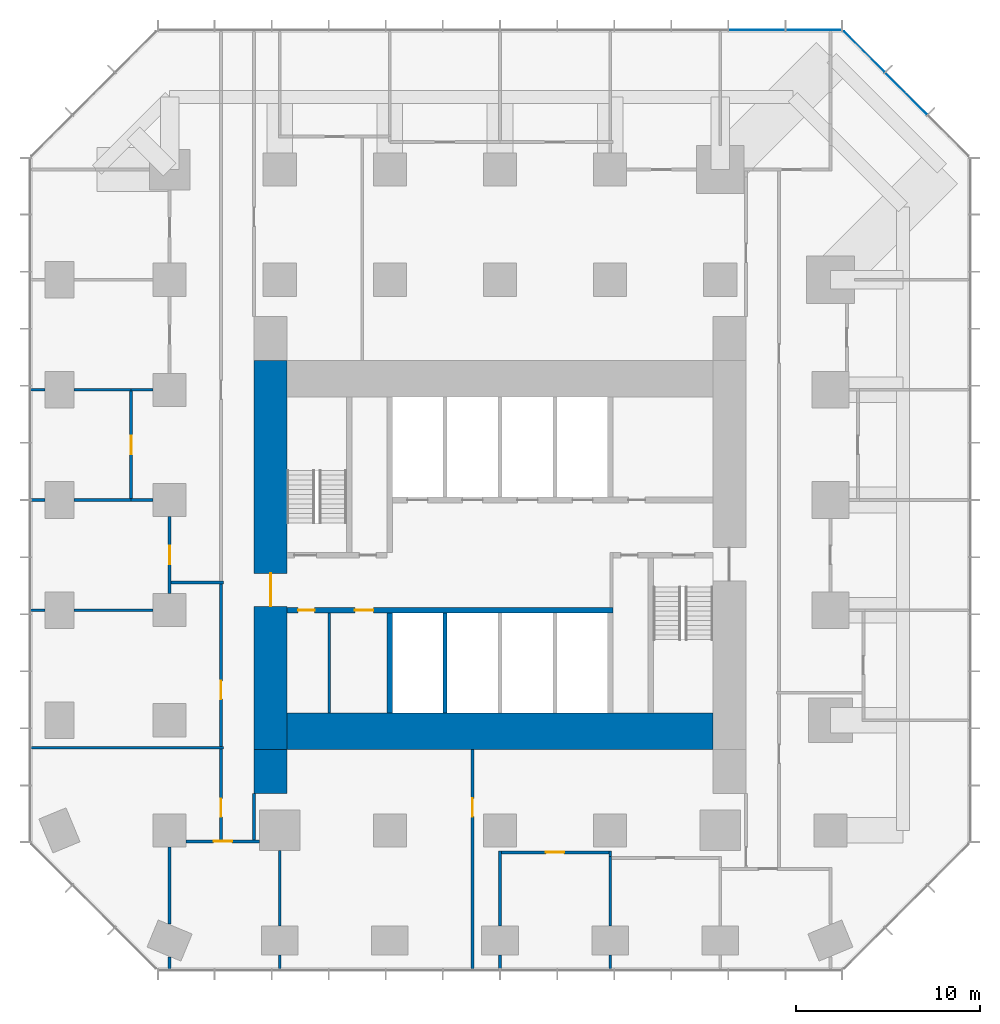
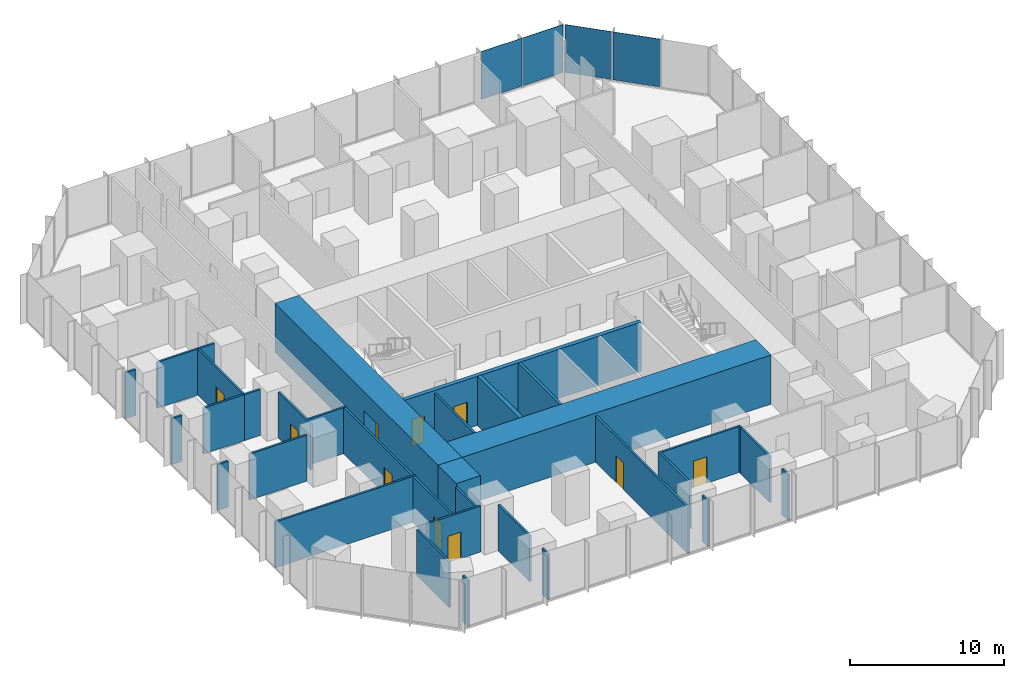
# One storey, part 8 of 12: 34 walls, 10 doors, 4 plates, 10 openings, 2 elements without a shape of their own.
"""IFC4 building model written with IfcOpenShell, lengths in metres."""

import ifcopenshell
import ifcopenshell.guid

model = None  # the IFC model being written
_history = None  # IfcOwnerHistory: only IFC2X3 demands one
_inside = {}  # id of a spatial element -> (the spatial element, [elements in it])
_under = {}  # id of a project, library or spatial element -> (it, [spatial elements below it])
_declared = {}  # id of a project -> (the project, [libraries it declares])
_typed = {}  # id of a type object -> (the type object, [elements of that type])
_made_of = {}  # id of a material, layer set ... -> (it, [elements and type objects made of it])


def new_model(schema):
    """Start an empty IFC model of exactly this schema.

    Asked for "IFC4X3", IfcOpenShell would pick the latest addendum, in which some entities
    have other attributes; the version numbers below select the first issue.
    IFC2X3 requires an IfcOwnerHistory on every rooted entity: one is made here for all.
    """
    global model, _history
    if schema == "IFC4X3":
        model = ifcopenshell.file(schema_version=(4, 3, 0, 0))
    else:
        model = ifcopenshell.file(schema=schema)
    _inside.clear()
    _under.clear()
    _declared.clear()
    _typed.clear()
    _made_of.clear()
    _history = None
    if model.schema == "IFC2X3":
        org = make("IfcOrganization", Name="unknown")
        user = make(
            "IfcPersonAndOrganization",
            ThePerson=make("IfcPerson", FamilyName="unknown"),
            TheOrganization=org,
        )
        app = make(
            "IfcApplication",
            ApplicationDeveloper=org,
            Version="unknown",
            ApplicationFullName="unknown",
            ApplicationIdentifier="unknown",
        )
        _history = make(
            "IfcOwnerHistory",
            OwningUser=user,
            OwningApplication=app,
            ChangeAction="ADDED",
            CreationDate=0,
        )
    return model


def make(cls, **values):
    """One entity of the class cls with the attributes given. An attribute that is None is left unset."""
    return model.create_entity(
        cls, **{name: value for name, value in values.items() if value is not None}
    )


def rooted(cls, **values):
    """An entity with a GlobalId (a new one), such as an element, a storey or a relation."""
    return make(cls, GlobalId=ifcopenshell.guid.new(), OwnerHistory=_history, **values)


def si_unit(unit_type, name, prefix=None):
    """IfcSIUnit, for example si_unit("LENGTHUNIT", "METRE", prefix="MILLI")."""
    return make("IfcSIUnit", UnitType=unit_type, Prefix=prefix, Name=name)


def assignment(units):
    """IfcUnitAssignment: the units of a project."""
    return None if units is None else make("IfcUnitAssignment", Units=units)


def point(xyz):
    """IfcCartesianPoint."""
    return None if xyz is None else make("IfcCartesianPoint", Coordinates=xyz)


def direction(xyz):
    """IfcDirection."""
    return None if xyz is None else make("IfcDirection", DirectionRatios=xyz)


def frame(location, z_axis=None, x_axis=None):
    """IfcAxis2Placement3D, a coordinate frame: its origin and axes. An axis left out is left unset."""
    return make(
        "IfcAxis2Placement3D",
        Location=point(location),
        Axis=direction(z_axis),
        RefDirection=direction(x_axis),
    )


def frame_2d(location, x_axis=None):
    """IfcAxis2Placement2D, a coordinate frame in the plane: its origin and x axis."""
    return make(
        "IfcAxis2Placement2D", Location=point(location), RefDirection=direction(x_axis)
    )


def origin():
    """The frame at (0, 0, 0) with its axes left unset."""
    return frame((0.0, 0.0, 0.0))


def origin_2d():
    """The frame at (0, 0) in the plane with its x axis left unset."""
    return frame_2d((0.0, 0.0))


def place(relative_to, where):
    """IfcLocalPlacement: puts the frame where relative to a parent placement (None: the world)."""
    return make(
        "IfcLocalPlacement", PlacementRelTo=relative_to, RelativePlacement=where
    )


def context(
    kind, dimensions, precision=None, world=None, true_north=None, identifier=None
):
    """IfcGeometricRepresentationContext, for example the 3D "Model" context."""
    return make(
        "IfcGeometricRepresentationContext",
        ContextIdentifier=identifier,
        ContextType=kind,
        CoordinateSpaceDimension=dimensions,
        Precision=precision,
        WorldCoordinateSystem=world,
        TrueNorth=true_north,
    )


def subcontext(parent, identifier, kind, view, scale=None):
    """IfcGeometricRepresentationSubContext, for example "Body" below "Model"."""
    return make(
        "IfcGeometricRepresentationSubContext",
        ContextIdentifier=identifier,
        ContextType=kind,
        ParentContext=parent,
        TargetScale=scale,
        TargetView=view,
    )


def project(units=None, contexts=None):
    """IfcProject with its units and contexts."""
    return rooted(
        "IfcProject",
        Name="project",
        RepresentationContexts=contexts,
        UnitsInContext=assignment(units),
    )


def spatial(cls, under=None, at=None, **own):
    """A site, building, storey or space (cls), placed at a placement, below another one or the project."""
    s = rooted(cls, ObjectPlacement=at, **own)
    if under is not None:
        _under.setdefault(under.id(), (under, []))[1].append(s)
    return s


def profile(cls, at=None, kind="AREA", **sizes):
    """A parametric profile (cls). Its sizes go by their IFC names, for example OverallWidth=200.0."""
    return make(cls, ProfileType=kind, Position=at, **sizes)


def rectangle(**sizes):
    """IfcRectangleProfileDef."""
    return profile("IfcRectangleProfileDef", **sizes)


def extrude(swept, where, along, depth):
    """IfcExtrudedAreaSolid: the profile swept, set in the frame where, extruded along a direction by depth."""
    return make(
        "IfcExtrudedAreaSolid",
        SweptArea=swept,
        Position=where,
        ExtrudedDirection=direction(along),
        Depth=depth,
    )


def shape(context_of_items, identifier, shape_type, items):
    """IfcShapeRepresentation: the items that make up one representation, for example the "Body"."""
    return make(
        "IfcShapeRepresentation",
        ContextOfItems=context_of_items,
        RepresentationIdentifier=identifier,
        RepresentationType=shape_type,
        Items=items,
    )


def material(Name=None, Category=None):
    """IfcMaterial."""
    return make("IfcMaterial", Name=Name, Category=Category)


def layer(
    of_material, thickness, ventilated=None, Name=None, Category=None, Priority=None
):
    """IfcMaterialLayer: one layer of a wall or slab, of a material (None: an air gap)."""
    return make(
        "IfcMaterialLayer",
        Material=of_material,
        LayerThickness=thickness,
        IsVentilated=ventilated,
        Name=Name,
        Category=Category,
        Priority=Priority,
    )


def layer_set(layers, Name=None):
    """IfcMaterialLayerSet."""
    return make("IfcMaterialLayerSet", MaterialLayers=layers, LayerSetName=Name)


def made_of(thing, what):
    """Note that an element or type object is made of a material, layer set ...; save() writes the relation."""
    if what is not None:
        _made_of.setdefault(what.id(), (what, []))[1].append(thing)
    return thing


def type_object(cls, material=None, **own):
    """A type object (cls), such as IfcWallType, which elements share."""
    return made_of(rooted(cls, **own), material)


def element(
    cls,
    number,
    at=None,
    inside=None,
    cuts=None,
    type_object=None,
    material=None,
    context=None,
    identifier="Body",
    shape_type=None,
    held_by="IfcProductDefinitionShape",
    body=None,
    shapes=None,
    **own,
):
    """One element of the class cls, such as IfcWall. Its Tag is "e" and its number.

    at: its placement. inside: the storey or other place that contains it. cuts: it is an
    opening in that element (IfcRelVoidsElement). A single representation is given by context,
    identifier, shape_type and body (its items); several are given by shapes. held_by: the class
    of the entity that holds the representations. save() writes the other relations.
    """
    e = rooted(cls, Tag="e%d" % number, ObjectPlacement=at, **own)
    if body is not None:
        shapes = [shape(context, identifier, shape_type, body)]
    if shapes is not None:
        e.Representation = make(held_by, Representations=shapes)
    if inside is not None:
        _inside.setdefault(inside.id(), (inside, []))[1].append(e)
    if cuts is not None:
        rooted(
            "IfcRelVoidsElement", RelatingBuildingElement=cuts, RelatedOpeningElement=e
        )
    if type_object is not None:
        _typed.setdefault(type_object.id(), (type_object, []))[1].append(e)
    return made_of(e, material)


def fill(opening, filler):
    """IfcRelFillsElement: the door or window that sits in an opening."""
    return rooted(
        "IfcRelFillsElement",
        RelatingOpeningElement=opening,
        RelatedBuildingElement=filler,
    )


def aggregate(whole, parts):
    """IfcRelAggregates: a whole, such as a stair, and the parts it consists of."""
    return rooted("IfcRelAggregates", RelatingObject=whole, RelatedObjects=parts)


def save(model, path):
    """Write the relations noted so far, then the file.

    IfcRelAggregates (storeys below a building ...), IfcRelContainedInSpatialStructure (elements
    in a storey), IfcRelDefinesByType, IfcRelAssociatesMaterial and IfcRelDeclares: one each for
    every whole, place, type object, material and project.
    """
    for whole, parts in _under.values():
        aggregate(whole, parts)
    for where, things in _inside.values():
        rooted(
            "IfcRelContainedInSpatialStructure",
            RelatedElements=things,
            RelatingStructure=where,
        )
    for kind, things in _typed.values():
        rooted("IfcRelDefinesByType", RelatedObjects=things, RelatingType=kind)
    for what, things in _made_of.values():
        rooted("IfcRelAssociatesMaterial", RelatedObjects=things, RelatingMaterial=what)
    for by, libraries in _declared.values():
        rooted("IfcRelDeclares", RelatingContext=by, RelatedDefinitions=libraries)
    model.write(path)


model = new_model("IFC4")

# Units and contexts
model_context = context("Model", 3, precision=1e-05, world=origin(), true_north=direction((0.0, 1.0)))
body_context = subcontext(model_context, "Body", "Model", "MODEL_VIEW")
ifc_project = project(units=[si_unit("LENGTHUNIT", "METRE"), si_unit("AREAUNIT", "SQUARE_METRE"), si_unit("VOLUMEUNIT", "CUBIC_METRE"), si_unit("PLANEANGLEUNIT", "RADIAN"), si_unit("MASSUNIT", "GRAM", prefix="KILO")], contexts=[model_context])

# Site, building, storey
site_placement = place(None, origin())
site = spatial("IfcSite", under=ifc_project, at=site_placement, CompositionType="ELEMENT")
building_placement = place(site_placement, origin())
building = spatial("IfcBuilding", under=site, at=building_placement, Name="Highveld Stack Headquarters", CompositionType="ELEMENT")
storey_placement = place(building_placement, frame((0.0, 0.0, 76.699951171875)))
storey = spatial("IfcBuildingStorey", under=building, at=storey_placement, Name="L18", CompositionType="ELEMENT", Elevation=76.699951171875)

# Curtain wall, plates
ifc_material_1 = material(Name="Aluminium bronze anodised", Category="aluminium")
ifc_layer_1 = layer(ifc_material_1, 0.199951171875)
ifc_layer_set_1 = layer_set([ifc_layer_1], Name="Aluminium bronze anodised")
curtain_wall_type_1 = type_object("IfcCurtainWallType", Name="CW1 TOWER UNITISED CURTAIN WALL", PredefinedType="NOTDEFINED", material=ifc_layer_set_1)
curtain_wall_1_placement = place(storey_placement, origin())
curtain_wall_1 = element("IfcCurtainWall", 1, at=curtain_wall_1_placement, inside=storey, type_object=curtain_wall_type_1, Name="Curtain wall CW1 L18 N", PredefinedType="NOTDEFINED")
ifc_material_2 = material(Name="Glass bronze tinted double glazed unit", Category="glass")
ifc_layer_2 = layer(ifc_material_2, 0.028076171875)
ifc_layer_set_2 = layer_set([ifc_layer_2], Name="Glass bronze tinted double glazed unit")
plate_type_1 = type_object("IfcPlateType", Name="CW1 PANEL BRONZE TINTED DOUBLE GLAZED UNIT", PredefinedType="CURTAIN_PANEL", material=ifc_layer_set_2)
plate_1_placement = place(storey_placement, frame((23.09130859375, 31.60009765625, 0.10009765625), z_axis=(0.0, 0.0, 1.0), x_axis=(-1.0, 0.0, 0.0)))
plate_1 = element("IfcPlate", 2, at=plate_1_placement, type_object=plate_type_1, Name="CW1 panel L18 1.1", PredefinedType="CURTAIN_PANEL", context=body_context, shape_type="SweptSolid", body=[
    extrude(rectangle(XDim=3.012939453125, YDim=0.028076171875, at=origin_2d()), origin(), (0.0, 0.0, 1.0), 3.800048828125),
])
plate_2_placement = place(storey_placement, frame((19.9970703125, 31.60009765625, 0.10009765625), z_axis=(0.0, 0.0, 1.0), x_axis=(-1.0, 0.0, 0.0)))
plate_2 = element("IfcPlate", 3, at=plate_2_placement, type_object=plate_type_1, Name="CW1 panel L18 2.1", PredefinedType="CURTAIN_PANEL", context=body_context, shape_type="SweptSolid", body=[
    extrude(rectangle(XDim=3.04541015625, YDim=0.028076171875, at=origin_2d()), origin(), (0.0, 0.0, 1.0), 3.800048828125),
])
aggregate(curtain_wall_1, [plate_1, plate_2])

ifc_material_3 = material(Name="Aluminium bronze anodised", Category="aluminium")
ifc_layer_3 = layer(ifc_material_3, 0.199951171875)
ifc_layer_set_3 = layer_set([ifc_layer_3], Name="Aluminium bronze anodised")
curtain_wall_type_2 = type_object("IfcCurtainWallType", Name="CW2 TOWER CHAMFER UNITISED CURTAIN WALL", PredefinedType="NOTDEFINED", material=ifc_layer_set_3)
curtain_wall_2_placement = place(storey_placement, origin())
curtain_wall_2 = element("IfcCurtainWall", 4, at=curtain_wall_2_placement, inside=storey, type_object=curtain_wall_type_2, Name="Curtain wall CW2 L18 NE", PredefinedType="NOTDEFINED")
ifc_material_4 = material(Name="Glass bronze tinted double glazed unit", Category="glass")
ifc_layer_4 = layer(ifc_material_4, 0.028076171875)
ifc_layer_set_4 = layer_set([ifc_layer_4], Name="Glass bronze tinted double glazed unit")
plate_type_2 = type_object("IfcPlateType", Name="CW2 PANEL BRONZE TINTED DOUBLE GLAZED UNIT", PredefinedType="CURTAIN_PANEL", material=ifc_layer_set_4)
plate_3_placement = place(storey_placement, frame((28.13134765625, 28.13134765625, 0.10009765625), z_axis=(0.0, 0.0, 1.0), x_axis=(-0.707106781187, 0.707106781187, 0.0)))
plate_3 = element("IfcPlate", 5, at=plate_3_placement, type_object=plate_type_2, Name="CW2 panel L18 2.1", PredefinedType="CURTAIN_PANEL", context=body_context, shape_type="SweptSolid", body=[
    extrude(rectangle(XDim=3.205322265625, YDim=0.028076171875, at=origin_2d()), origin(), (0.0, 0.0, 1.0), 3.800048828125),
])
plate_4_placement = place(storey_placement, frame((25.8427734375, 30.419921875, 0.10009765625), z_axis=(0.0, 0.0, 1.0), x_axis=(-0.707106781187, 0.707106781187, 0.0)))
plate_4 = element("IfcPlate", 6, at=plate_4_placement, type_object=plate_type_2, Name="CW2 panel L18 3.1", PredefinedType="CURTAIN_PANEL", context=body_context, shape_type="SweptSolid", body=[
    extrude(rectangle(XDim=3.1376953125, YDim=0.028076171875, at=origin_2d()), origin(), (0.0, 0.0, 1.0), 3.800048828125),
])
aggregate(curtain_wall_2, [plate_3, plate_4])

# Wall, opening, door
ifc_material_5 = material(Name="Concrete C60/75", Category="concrete")
ifc_layer_5 = layer(ifc_material_5, 1.800048828125)
ifc_layer_set_5 = layer_set([ifc_layer_5], Name="Concrete C60/75")
wall_type_1 = type_object("IfcWallType", Name="CORE WALL 1800 C60/75", PredefinedType="SHEAR", material=ifc_layer_set_5)
wall_1_placement = place(storey_placement, frame((-6.5, -7.60009765625, 0.0), z_axis=(0.0, 0.0, 1.0), x_axis=(0.0, 1.0, 0.0)))
wall_1 = element("IfcWall", 7, at=wall_1_placement, inside=storey, type_object=wall_type_1, Name="Core wall W L18", PredefinedType="SHEAR", context=body_context, shape_type="SweptSolid", body=[
    extrude(rectangle(XDim=21.2001953125, YDim=1.800048828125, at=frame_2d((10.60009765625, 0.0))), origin(), (0.0, 0.0, 1.0), 3.900146484375),
])
opening_1_placement = place(wall_1_placement, frame((7.800048828125, 0.0, 0.0)))
opening_1 = element("IfcOpeningElement", 8, at=opening_1_placement, cuts=wall_1, Name="Opening L18-01", PredefinedType="OPENING", context=body_context, shape_type="SweptSolid", body=[
    extrude(rectangle(XDim=1.800048828125, YDim=2.39990234375, at=frame_2d((0.89990234375, 1.199951171875))), frame((0.0, 0.909912109375, 0.0), z_axis=(0.0, -1.0, 0.0), x_axis=(1.0, 0.0, 0.0)), (0.0, 0.0, 1.0), 1.820068359375),
])
ifc_material_6 = material(Name="Steel fire door", Category="steel")
door_type_1 = type_object("IfcDoorType", Name="LOBBY FIRE DOOR D4 1800x2400", OperationType="DOUBLE_DOOR_SINGLE_SWING", PredefinedType="DOOR", material=ifc_material_6)
door_1_placement = place(opening_1_placement, origin())
door_1 = element("IfcDoor", 9, at=door_1_placement, inside=storey, type_object=door_type_1, Name="Core west door L18", OperationType="DOUBLE_DOOR_SINGLE_SWING", OverallHeight=2.39990234375, OverallWidth=1.800048828125, PredefinedType="DOOR", context=body_context, shape_type="SweptSolid", body=[
    extrude(rectangle(XDim=1.800048828125, YDim=2.39990234375, at=frame_2d((0.89990234375, 1.199951171875))), frame((0.0, 0.02490234375, 0.0), z_axis=(0.0, -1.0, 0.0), x_axis=(1.0, 0.0, 0.0)), (0.0, 0.0, 1.0), 0.050048828125),
])
fill(opening_1, door_1)

# Wall
ifc_material_7 = material(Name="Concrete C60/75", Category="concrete")
ifc_layer_6 = layer(ifc_material_7, 2.0)
ifc_layer_set_6 = layer_set([ifc_layer_6], Name="Concrete C60/75")
wall_type_2 = type_object("IfcWallType", Name="CORE WALL 2000 C60/75", PredefinedType="SHEAR", material=ifc_layer_set_6)
wall_2_placement = place(storey_placement, frame((-5.60009765625, -6.60009765625, 0.0), z_axis=(0.0, 0.0, 1.0), x_axis=(1.0, 0.0, 0.0)))
element("IfcWall", 10, at=wall_2_placement, inside=storey, type_object=wall_type_2, Name="Core wall S L18", PredefinedType="SHEAR", context=body_context, shape_type="SweptSolid", body=[
    extrude(rectangle(XDim=23.2001953125, YDim=2.0, at=frame_2d((11.60009765625, 0.0))), origin(), (0.0, 0.0, 1.0), 3.900146484375),
])

# Wall, openings, doors
ifc_material_8 = material(Name="Concrete C60/75", Category="concrete")
ifc_layer_7 = layer(ifc_material_8, 0.300048828125)
ifc_layer_set_7 = layer_set([ifc_layer_7], Name="Concrete C60/75")
wall_type_3 = type_object("IfcWallType", Name="CORE WALL 300 C60/75", PredefinedType="SHEAR", material=ifc_layer_set_7)
wall_3_placement = place(storey_placement, frame((-5.60009765625, 0.0, 0.0), z_axis=(0.0, 0.0, 1.0), x_axis=(1.0, 0.0, 0.0)))
wall_3 = element("IfcWall", 11, at=wall_3_placement, inside=storey, type_object=wall_type_3, Name="Core wall I-Y0 L18", PredefinedType="SHEAR", context=body_context, shape_type="SweptSolid", body=[
    extrude(rectangle(XDim=17.75, YDim=0.300048828125, at=frame_2d((8.875, 0.0))), origin(), (0.0, 0.0, 1.0), 3.900146484375),
])
opening_2_placement = place(wall_3_placement, frame((0.60009765625, 0.0, 0.0)))
opening_2 = element("IfcOpeningElement", 12, at=opening_2_placement, cuts=wall_3, Name="Opening L18-07", PredefinedType="OPENING", context=body_context, shape_type="SweptSolid", body=[
    extrude(rectangle(XDim=0.89990234375, YDim=2.10009765625, at=frame_2d((0.449951171875, 1.050048828125))), frame((0.0, 0.159912109375, 0.0), z_axis=(0.0, -1.0, 0.0), x_axis=(1.0, 0.0, 0.0)), (0.0, 0.0, 1.0), 0.320068359375),
])
opening_3_placement = place(wall_3_placement, frame((3.699951171875, 0.0, 0.0)))
opening_3 = element("IfcOpeningElement", 13, at=opening_3_placement, cuts=wall_3, Name="Opening L18-08", PredefinedType="OPENING", context=body_context, shape_type="SweptSolid", body=[
    extrude(rectangle(XDim=1.0, YDim=2.10009765625, at=frame_2d((0.5, 1.050048828125))), frame((0.0, 0.159912109375, 0.0), z_axis=(0.0, -1.0, 0.0), x_axis=(1.0, 0.0, 0.0)), (0.0, 0.0, 1.0), 0.320068359375),
])
ifc_material_9 = material(Name="Timber door, painted", Category="wood")
door_type_2 = type_object("IfcDoorType", Name="ACCESSIBLE WC DOOR D2 1000x2100", OperationType="SINGLE_SWING_RIGHT", PredefinedType="DOOR", material=ifc_material_9)
door_2_placement = place(opening_3_placement, origin())
door_2 = element("IfcDoor", 14, at=door_2_placement, inside=storey, type_object=door_type_2, Name="Accessible WC door L18", OperationType="SINGLE_SWING_LEFT", OverallHeight=2.10009765625, OverallWidth=1.0, PredefinedType="DOOR", context=body_context, shape_type="SweptSolid", body=[
    extrude(rectangle(XDim=1.0, YDim=2.10009765625, at=frame_2d((0.5, 1.050048828125))), frame((0.0, 0.02490234375, 0.0), z_axis=(0.0, -1.0, 0.0), x_axis=(1.0, 0.0, 0.0)), (0.0, 0.0, 1.0), 0.050048828125),
])
fill(opening_3, door_2)
ifc_material_10 = material(Name="Timber door, painted", Category="wood")
door_type_3 = type_object("IfcDoorType", Name="WC DOOR D1 900x2100", OperationType="SINGLE_SWING_LEFT", PredefinedType="DOOR", material=ifc_material_10)
door_3_placement = place(opening_2_placement, origin())
door_3 = element("IfcDoor", 15, at=door_3_placement, inside=storey, type_object=door_type_3, Name="Female WC door L18", OperationType="SINGLE_SWING_LEFT", OverallHeight=2.10009765625, OverallWidth=0.89990234375, PredefinedType="DOOR", context=body_context, shape_type="SweptSolid", body=[
    extrude(rectangle(XDim=0.89990234375, YDim=2.10009765625, at=frame_2d((0.449951171875, 1.050048828125))), frame((0.0, 0.02490234375, 0.0), z_axis=(0.0, -1.0, 0.0), x_axis=(1.0, 0.0, 0.0)), (0.0, 0.0, 1.0), 0.050048828125),
])
fill(opening_2, door_3)

# Walls
wall_4_placement = place(storey_placement, frame((0.0, -5.60009765625, 0.0), z_axis=(0.0, 0.0, 1.0), x_axis=(0.0, 1.0, 0.0)))
element("IfcWall", 16, at=wall_4_placement, inside=storey, type_object=wall_type_3, Name="Core wall I-X0S L18", PredefinedType="SHEAR", context=body_context, shape_type="SweptSolid", body=[
    extrude(rectangle(XDim=5.4501953125, YDim=0.300048828125, at=frame_2d((2.72509765625, 0.0))), origin(), (0.0, 0.0, 1.0), 3.900146484375),
])
ifc_material_11 = material(Name="Concrete C60/75", Category="concrete")
ifc_layer_8 = layer(ifc_material_11, 1.800048828125)
ifc_layer_set_8 = layer_set([ifc_layer_8], Name="Concrete C60/75")
wall_type_4 = type_object("IfcWallType", Name="CORE WING WALL 1800 C60/75", PredefinedType="SHEAR", material=ifc_layer_set_8)
wall_5_placement = place(storey_placement, frame((-6.5, -10.0, 0.0), z_axis=(0.0, 0.0, 1.0), x_axis=(0.0, 1.0, 0.0)))
element("IfcWall", 17, at=wall_5_placement, inside=storey, type_object=wall_type_4, Name="Core wing wall WS L18", PredefinedType="SHEAR", context=body_context, shape_type="SweptSolid", body=[
    extrude(rectangle(XDim=2.39990234375, YDim=1.800048828125, at=frame_2d((1.199951171875, 0.0))), origin(), (0.0, 0.0, 1.0), 3.900146484375),
])

# Wall, opening, door
ifc_material_12 = material(Name="Laminated glass in aluminium frame", Category="aluminium")
ifc_layer_9 = layer(ifc_material_12, 0.14990234375)
ifc_layer_set_9 = layer_set([ifc_layer_9], Name="Laminated glass in aluminium frame")
wall_type_5 = type_object("IfcWallType", Name="GLAZED PARTITION 150", PredefinedType="PARTITIONING", material=ifc_layer_set_9)
wall_6_placement = place(storey_placement, frame((-7.10009765625, -12.60009765625, 0.0), z_axis=(0.0, 0.0, 1.0), x_axis=(-1.0, 0.0, 0.0)))
wall_6 = element("IfcWall", 18, at=wall_6_placement, inside=storey, type_object=wall_type_5, Name="Glazed partition Video conference room L18", PredefinedType="PARTITIONING", context=body_context, shape_type="SweptSolid", body=[
    extrude(rectangle(XDim=4.0, YDim=0.14990234375, at=frame_2d((2.0, 0.0))), origin(), (0.0, 0.0, 1.0), 3.650146484375),
])
opening_4_placement = place(wall_6_placement, frame((1.5, 0.0, 0.0)))
opening_4 = element("IfcOpeningElement", 19, at=opening_4_placement, cuts=wall_6, Name="Opening L18-10", PredefinedType="OPENING", context=body_context, shape_type="SweptSolid", body=[
    extrude(rectangle(XDim=1.0, YDim=2.10009765625, at=frame_2d((0.5, 1.050048828125))), frame((0.0, 0.0849609375, 0.0), z_axis=(0.0, -1.0, 0.0), x_axis=(1.0, 0.0, 0.0)), (0.0, 0.0, 1.0), 0.169921875),
])
ifc_material_13 = material(Name="Timber door, oiled ash", Category="wood")
door_type_4 = type_object("IfcDoorType", Name="ROOM DOOR D6 1000x2100", OperationType="SINGLE_SWING_LEFT", PredefinedType="DOOR", material=ifc_material_13)
door_4_placement = place(opening_4_placement, origin())
door_4 = element("IfcDoor", 20, at=door_4_placement, inside=storey, type_object=door_type_4, Name="Video conference room door 1 L18", OperationType="SINGLE_SWING_RIGHT", OverallHeight=2.10009765625, OverallWidth=1.0, PredefinedType="DOOR", context=body_context, shape_type="SweptSolid", body=[
    extrude(rectangle(XDim=1.0, YDim=2.10009765625, at=frame_2d((0.5, 1.050048828125))), frame((0.0, 0.02490234375, 0.0), z_axis=(0.0, -1.0, 0.0), x_axis=(1.0, 0.0, 0.0)), (0.0, 0.0, 1.0), 0.050048828125),
])
fill(opening_4, door_4)

# Wall
ifc_material_14 = material(Name="Concrete blockwork, fair-faced", Category="masonry")
ifc_layer_10 = layer(ifc_material_14, 0.199951171875)
ifc_layer_set_10 = layer_set([ifc_layer_10], Name="Concrete blockwork, fair-faced")
wall_type_6 = type_object("IfcWallType", Name="LIFT SHAFT ENCLOSURE WALL 200 BLOCKWORK", PredefinedType="SOLIDWALL", material=ifc_layer_set_10)
wall_7_placement = place(storey_placement, frame((3.0, -5.60009765625, 0.0), z_axis=(0.0, 0.0, 1.0), x_axis=(0.0, 1.0, 0.0)))
element("IfcWall", 21, at=wall_7_placement, inside=storey, type_object=wall_type_6, Name="Lift shaft wall L18", PredefinedType="SOLIDWALL", context=body_context, shape_type="SweptSolid", body=[
    extrude(rectangle(XDim=5.4501953125, YDim=0.199951171875, at=frame_2d((2.72509765625, 0.0))), origin(), (0.0, 0.0, 1.0), 3.900146484375),
])

# Wall, opening, door
ifc_material_15 = material(Name="Gypsum plasterboard on steel studs", Category="steel")
ifc_layer_11 = layer(ifc_material_15, 0.14990234375)
ifc_layer_set_11 = layer_set([ifc_layer_11], Name="Gypsum plasterboard on steel studs")
wall_type_7 = type_object("IfcWallType", Name="PARTITION 150 PLASTERBOARD", PredefinedType="PARTITIONING", material=ifc_layer_set_11)
wall_8_placement = place(storey_placement, frame((6.074951171875, -13.199951171875, 0.0), z_axis=(0.0, 0.0, 1.0), x_axis=(1.0, 0.0, 0.0)))
wall_8 = element("IfcWall", 22, at=wall_8_placement, inside=storey, type_object=wall_type_7, Name="Partition Tea kitchen L18", PredefinedType="PARTITIONING", context=body_context, shape_type="SweptSolid", body=[
    extrude(rectangle(XDim=5.85009765625, YDim=0.14990234375, at=frame_2d((2.925048828125, 0.0))), origin(), (0.0, 0.0, 1.0), 3.650146484375),
])
opening_5_placement = place(wall_8_placement, frame((2.425048828125, 0.0, 0.0)))
opening_5 = element("IfcOpeningElement", 23, at=opening_5_placement, cuts=wall_8, Name="Opening L18-11", PredefinedType="OPENING", context=body_context, shape_type="SweptSolid", body=[
    extrude(rectangle(XDim=1.0, YDim=2.10009765625, at=frame_2d((0.5, 1.050048828125))), frame((0.0, 0.0849609375, 0.0), z_axis=(0.0, -1.0, 0.0), x_axis=(1.0, 0.0, 0.0)), (0.0, 0.0, 1.0), 0.169921875),
])
door_5_placement = place(opening_5_placement, origin())
door_5 = element("IfcDoor", 24, at=door_5_placement, inside=storey, type_object=door_type_4, Name="Tea kitchen door 1 L18", OperationType="SINGLE_SWING_LEFT", OverallHeight=2.10009765625, OverallWidth=1.0, PredefinedType="DOOR", context=body_context, shape_type="SweptSolid", body=[
    extrude(rectangle(XDim=1.0, YDim=2.10009765625, at=frame_2d((0.5, 1.050048828125))), frame((0.0, 0.02490234375, 0.0), z_axis=(0.0, -1.0, 0.0), x_axis=(1.0, 0.0, 0.0)), (0.0, 0.0, 1.0), 0.050048828125),
])
fill(opening_5, door_5)

# Walls
wall_9_placement = place(storey_placement, frame((-19.60009765625, 0.0, 0.0), z_axis=(0.0, 0.0, 1.0), x_axis=(1.0, 0.0, 0.0)))
element("IfcWall", 25, at=wall_9_placement, inside=storey, type_object=wall_type_7, Name="Partition Office L18", PredefinedType="PARTITIONING", context=body_context, shape_type="SweptSolid", body=[
    extrude(rectangle(XDim=0.800048828125, YDim=0.14990234375, at=frame_2d((0.39990234375, 0.0))), origin(), (0.0, 0.0, 1.0), 3.650146484375),
])
wall_10_placement = place(storey_placement, frame((-17.199951171875, 0.0, 0.0), z_axis=(0.0, 0.0, 1.0), x_axis=(1.0, 0.0, 0.0)))
element("IfcWall", 26, at=wall_10_placement, inside=storey, type_object=wall_type_7, Name="Partition Office L18", PredefinedType="PARTITIONING", context=body_context, shape_type="SweptSolid", body=[
    extrude(rectangle(XDim=4.300048828125, YDim=0.14990234375, at=frame_2d((2.14990234375, 0.0))), origin(), (0.0, 0.0, 1.0), 3.650146484375),
])
wall_11_placement = place(storey_placement, frame((-19.550048828125, 6.0, 0.0), z_axis=(0.0, 0.0, 1.0), x_axis=(1.0, 0.0, 0.0)))
element("IfcWall", 27, at=wall_11_placement, inside=storey, type_object=wall_type_7, Name="Partition Focus room / Office L18", PredefinedType="PARTITIONING", context=body_context, shape_type="SweptSolid", body=[
    extrude(rectangle(XDim=0.75, YDim=0.14990234375, at=frame_2d((0.375, 0.0))), origin(), (0.0, 0.0, 1.0), 3.650146484375),
])
wall_12_placement = place(storey_placement, frame((-17.199951171875, 6.0, 0.0), z_axis=(0.0, 0.0, 1.0), x_axis=(1.0, 0.0, 0.0)))
element("IfcWall", 28, at=wall_12_placement, inside=storey, type_object=wall_type_7, Name="Partition Focus room / Office L18", PredefinedType="PARTITIONING", context=body_context, shape_type="SweptSolid", body=[
    extrude(rectangle(XDim=3.175048828125, YDim=0.14990234375, at=frame_2d((1.58740234375, 0.0))), origin(), (0.0, 0.0, 1.0), 3.650146484375),
])
wall_13_placement = place(storey_placement, frame((-14.10009765625, 6.0, 0.0), z_axis=(0.0, 0.0, 1.0), x_axis=(1.0, 0.0, 0.0)))
element("IfcWall", 29, at=wall_13_placement, inside=storey, type_object=wall_type_7, Name="Partition Office L18", PredefinedType="PARTITIONING", context=body_context, shape_type="SweptSolid", body=[
    extrude(rectangle(XDim=1.2001953125, YDim=0.14990234375, at=frame_2d((0.60009765625, 0.0))), origin(), (0.0, 0.0, 1.0), 3.650146484375),
])
wall_14_placement = place(storey_placement, frame((-19.60009765625, 12.0, 0.0), z_axis=(0.0, 0.0, 1.0), x_axis=(1.0, 0.0, 0.0)))
element("IfcWall", 30, at=wall_14_placement, inside=storey, type_object=wall_type_7, Name="Partition Focus room / Office L18", PredefinedType="PARTITIONING", context=body_context, shape_type="SweptSolid", body=[
    extrude(rectangle(XDim=0.800048828125, YDim=0.14990234375, at=frame_2d((0.39990234375, 0.0))), origin(), (0.0, 0.0, 1.0), 3.650146484375),
])
wall_15_placement = place(storey_placement, frame((-17.199951171875, 12.0, 0.0), z_axis=(0.0, 0.0, 1.0), x_axis=(1.0, 0.0, 0.0)))
element("IfcWall", 31, at=wall_15_placement, inside=storey, type_object=wall_type_7, Name="Partition Focus room / Office L18", PredefinedType="PARTITIONING", context=body_context, shape_type="SweptSolid", body=[
    extrude(rectangle(XDim=3.175048828125, YDim=0.14990234375, at=frame_2d((1.58740234375, 0.0))), origin(), (0.0, 0.0, 1.0), 3.650146484375),
])
wall_16_placement = place(storey_placement, frame((-14.10009765625, 12.0, 0.0), z_axis=(0.0, 0.0, 1.0), x_axis=(1.0, 0.0, 0.0)))
element("IfcWall", 32, at=wall_16_placement, inside=storey, type_object=wall_type_7, Name="Partition Office L18", PredefinedType="PARTITIONING", context=body_context, shape_type="SweptSolid", body=[
    extrude(rectangle(XDim=1.2001953125, YDim=0.14990234375, at=frame_2d((0.60009765625, 0.0))), origin(), (0.0, 0.0, 1.0), 3.650146484375),
])

# Wall, opening, door
wall_17_placement = place(storey_placement, frame((-14.10009765625, 6.074951171875, 0.0), z_axis=(0.0, 0.0, 1.0), x_axis=(0.0, 1.0, 0.0)))
wall_17 = element("IfcWall", 33, at=wall_17_placement, inside=storey, type_object=wall_type_7, Name="Partition Focus room L18", PredefinedType="PARTITIONING", context=body_context, shape_type="SweptSolid", body=[
    extrude(rectangle(XDim=5.85009765625, YDim=0.14990234375, at=frame_2d((2.925048828125, 0.0))), origin(), (0.0, 0.0, 1.0), 3.650146484375),
])
opening_6_placement = place(wall_17_placement, frame((2.425048828125, 0.0, 0.0)))
opening_6 = element("IfcOpeningElement", 34, at=opening_6_placement, cuts=wall_17, Name="Opening L18-15", PredefinedType="OPENING", context=body_context, shape_type="SweptSolid", body=[
    extrude(rectangle(XDim=1.0, YDim=2.10009765625, at=frame_2d((0.5, 1.050048828125))), frame((0.0, 0.0849609375, 0.0), z_axis=(0.0, -1.0, 0.0), x_axis=(1.0, 0.0, 0.0)), (0.0, 0.0, 1.0), 0.169921875),
])
door_6_placement = place(opening_6_placement, origin())
door_6 = element("IfcDoor", 35, at=door_6_placement, inside=storey, type_object=door_type_4, Name="Focus room door 1 L18", OperationType="SINGLE_SWING_LEFT", OverallHeight=2.10009765625, OverallWidth=1.0, PredefinedType="DOOR", context=body_context, shape_type="SweptSolid", body=[
    extrude(rectangle(XDim=1.0, YDim=2.10009765625, at=frame_2d((0.5, 1.050048828125))), frame((0.0, 0.02490234375, 0.0), z_axis=(0.0, -1.0, 0.0), x_axis=(1.0, 0.0, 0.0)), (0.0, 0.0, 1.0), 0.050048828125),
])
fill(opening_6, door_6)

# Walls
wall_18_placement = place(storey_placement, frame((-12.0, -19.60009765625, 0.0), z_axis=(0.0, 0.0, 1.0), x_axis=(0.0, 1.0, 0.0)))
element("IfcWall", 36, at=wall_18_placement, inside=storey, type_object=wall_type_7, Name="Partition Video conference room L18", PredefinedType="PARTITIONING", context=body_context, shape_type="SweptSolid", body=[
    extrude(rectangle(XDim=0.703125, YDim=0.14990234375, at=frame_2d((0.3515625, 0.0))), origin(), (0.0, 0.0, 1.0), 3.650146484375),
])
wall_19_placement = place(storey_placement, frame((-12.0, -17.10302734375, 0.0), z_axis=(0.0, 0.0, 1.0), x_axis=(0.0, 1.0, 0.0)))
element("IfcWall", 37, at=wall_19_placement, inside=storey, type_object=wall_type_7, Name="Partition Video conference room L18", PredefinedType="PARTITIONING", context=body_context, shape_type="SweptSolid", body=[
    extrude(rectangle(XDim=4.203125, YDim=0.14990234375, at=frame_2d((2.1015625, 0.0))), origin(), (0.0, 0.0, 1.0), 3.650146484375),
])

# Wall, opening, door
wall_20_placement = place(storey_placement, frame((-12.0, 0.89990234375, 0.0), z_axis=(0.0, 0.0, 1.0), x_axis=(0.0, 1.0, 0.0)))
wall_20 = element("IfcWall", 38, at=wall_20_placement, inside=storey, type_object=wall_type_7, Name="Partition Office L18", PredefinedType="PARTITIONING", context=body_context, shape_type="SweptSolid", body=[
    extrude(rectangle(XDim=4.2001953125, YDim=0.14990234375, at=frame_2d((2.10009765625, 0.0))), origin(), (0.0, 0.0, 1.0), 3.650146484375),
])
opening_7_placement = place(wall_20_placement, frame((1.60009765625, 0.0, 0.0)))
opening_7 = element("IfcOpeningElement", 39, at=opening_7_placement, cuts=wall_20, Name="Opening L18-14", PredefinedType="OPENING", context=body_context, shape_type="SweptSolid", body=[
    extrude(rectangle(XDim=1.0, YDim=2.10009765625, at=frame_2d((0.5, 1.050048828125))), frame((0.0, 0.0849609375, 0.0), z_axis=(0.0, -1.0, 0.0), x_axis=(1.0, 0.0, 0.0)), (0.0, 0.0, 1.0), 0.169921875),
])
door_7_placement = place(opening_7_placement, origin())
door_7 = element("IfcDoor", 40, at=door_7_placement, inside=storey, type_object=door_type_4, Name="Office door 1 L18", OperationType="SINGLE_SWING_RIGHT", OverallHeight=2.10009765625, OverallWidth=1.0, PredefinedType="DOOR", context=body_context, shape_type="SweptSolid", body=[
    extrude(rectangle(XDim=1.0, YDim=2.10009765625, at=frame_2d((0.5, 1.050048828125))), frame((0.0, 0.02490234375, 0.0), z_axis=(0.0, -1.0, 0.0), x_axis=(1.0, 0.0, 0.0)), (0.0, 0.0, 1.0), 0.050048828125),
])
fill(opening_7, door_7)

# Walls
wall_21_placement = place(storey_placement, frame((-6.0, -19.60009765625, 0.0), z_axis=(0.0, 0.0, 1.0), x_axis=(0.0, 1.0, 0.0)))
element("IfcWall", 41, at=wall_21_placement, inside=storey, type_object=wall_type_7, Name="Partition Video conference room L18", PredefinedType="PARTITIONING", context=body_context, shape_type="SweptSolid", body=[
    extrude(rectangle(XDim=0.800048828125, YDim=0.14990234375, at=frame_2d((0.39990234375, 0.0))), origin(), (0.0, 0.0, 1.0), 3.650146484375),
])
wall_22_placement = place(storey_placement, frame((-6.0, -17.199951171875, 0.0), z_axis=(0.0, 0.0, 1.0), x_axis=(0.0, 1.0, 0.0)))
element("IfcWall", 42, at=wall_22_placement, inside=storey, type_object=wall_type_7, Name="Partition Video conference room L18", PredefinedType="PARTITIONING", context=body_context, shape_type="SweptSolid", body=[
    extrude(rectangle(XDim=4.099853515625, YDim=0.14990234375, at=frame_2d((2.0498046875, 0.0))), origin(), (0.0, 0.0, 1.0), 3.650146484375),
])
wall_23_placement = place(storey_placement, frame((6.0, -19.550048828125, 0.0), z_axis=(0.0, 0.0, 1.0), x_axis=(0.0, 1.0, 0.0)))
element("IfcWall", 43, at=wall_23_placement, inside=storey, type_object=wall_type_7, Name="Partition Tea kitchen L18", PredefinedType="PARTITIONING", context=body_context, shape_type="SweptSolid", body=[
    extrude(rectangle(XDim=0.75, YDim=0.14990234375, at=frame_2d((0.375, 0.0))), origin(), (0.0, 0.0, 1.0), 3.650146484375),
])
wall_24_placement = place(storey_placement, frame((6.0, -17.199951171875, 0.0), z_axis=(0.0, 0.0, 1.0), x_axis=(0.0, 1.0, 0.0)))
element("IfcWall", 44, at=wall_24_placement, inside=storey, type_object=wall_type_7, Name="Partition Tea kitchen L18", PredefinedType="PARTITIONING", context=body_context, shape_type="SweptSolid", body=[
    extrude(rectangle(XDim=4.074951171875, YDim=0.14990234375, at=frame_2d((2.03759765625, 0.0))), origin(), (0.0, 0.0, 1.0), 3.650146484375),
])
wall_25_placement = place(storey_placement, frame((12.0, -19.60009765625, 0.0), z_axis=(0.0, 0.0, 1.0), x_axis=(0.0, 1.0, 0.0)))
element("IfcWall", 45, at=wall_25_placement, inside=storey, type_object=wall_type_7, Name="Partition Quiet room / Tea kitchen L18", PredefinedType="PARTITIONING", context=body_context, shape_type="SweptSolid", body=[
    extrude(rectangle(XDim=0.800048828125, YDim=0.14990234375, at=frame_2d((0.39990234375, 0.0))), origin(), (0.0, 0.0, 1.0), 3.650146484375),
])
wall_26_placement = place(storey_placement, frame((12.0, -17.199951171875, 0.0), z_axis=(0.0, 0.0, 1.0), x_axis=(0.0, 1.0, 0.0)))
element("IfcWall", 46, at=wall_26_placement, inside=storey, type_object=wall_type_7, Name="Partition Quiet room / Tea kitchen L18", PredefinedType="PARTITIONING", context=body_context, shape_type="SweptSolid", body=[
    extrude(rectangle(XDim=3.77490234375, YDim=0.14990234375, at=frame_2d((1.887451171875, 0.0))), origin(), (0.0, 0.0, 1.0), 3.650146484375),
])
wall_27_placement = place(storey_placement, frame((12.0, -13.425048828125, 0.0), z_axis=(0.0, 0.0, 1.0), x_axis=(0.0, 1.0, 0.0)))
element("IfcWall", 47, at=wall_27_placement, inside=storey, type_object=wall_type_7, Name="Partition Tea kitchen L18", PredefinedType="PARTITIONING", context=body_context, shape_type="SweptSolid", body=[
    extrude(rectangle(XDim=0.300048828125, YDim=0.14990234375, at=frame_2d((0.14990234375, 0.0))), origin(), (0.0, 0.0, 1.0), 3.650146484375),
])
wall_28_placement = place(storey_placement, frame((-19.60009765625, -7.5, 0.0), z_axis=(0.0, 0.0, 1.0), x_axis=(1.0, 0.0, 0.0)))
element("IfcWall", 48, at=wall_28_placement, inside=storey, type_object=wall_type_7, Name="Partition office neighbourhood L18", PredefinedType="PARTITIONING", context=body_context, shape_type="SweptSolid", body=[
    extrude(rectangle(XDim=10.550048828125, YDim=0.14990234375, at=frame_2d((5.27490234375, 0.0))), origin(), (0.0, 0.0, 1.0), 3.650146484375),
])
wall_29_placement = place(storey_placement, frame((-11.925048828125, 1.5, 0.0), z_axis=(0.0, 0.0, 1.0), x_axis=(1.0, 0.0, 0.0)))
element("IfcWall", 49, at=wall_29_placement, inside=storey, type_object=wall_type_7, Name="Partition office neighbourhood L18", PredefinedType="PARTITIONING", context=body_context, shape_type="SweptSolid", body=[
    extrude(rectangle(XDim=2.875, YDim=0.14990234375, at=frame_2d((1.4375, 0.0))), origin(), (0.0, 0.0, 1.0), 3.650146484375),
])

# Wall, opening, door
wall_30_placement = place(storey_placement, frame((-9.199951171875, -12.52490234375, 0.0), z_axis=(0.0, 0.0, 1.0), x_axis=(0.0, 1.0, 0.0)))
wall_30 = element("IfcWall", 50, at=wall_30_placement, inside=storey, type_object=wall_type_7, Name="Partition office neighbourhood L18", PredefinedType="PARTITIONING", context=body_context, shape_type="SweptSolid", body=[
    extrude(rectangle(XDim=4.949951171875, YDim=0.14990234375, at=frame_2d((2.47509765625, 0.0))), origin(), (0.0, 0.0, 1.0), 3.650146484375),
])
opening_8_placement = place(wall_30_placement, frame((1.259033203125, 0.0, 0.0)))
opening_8 = element("IfcOpeningElement", 51, at=opening_8_placement, cuts=wall_30, Name="Opening L18-27", PredefinedType="OPENING", context=body_context, shape_type="SweptSolid", body=[
    extrude(rectangle(XDim=1.0, YDim=2.10009765625, at=frame_2d((0.5, 1.050048828125))), frame((0.0, 0.0849609375, 0.0), z_axis=(0.0, -1.0, 0.0), x_axis=(1.0, 0.0, 0.0)), (0.0, 0.0, 1.0), 0.169921875),
])
door_8_placement = place(opening_8_placement, origin())
door_8 = element("IfcDoor", 52, at=door_8_placement, inside=storey, type_object=door_type_4, Name="Office neighbourhood door L18", OperationType="SINGLE_SWING_LEFT", OverallHeight=2.10009765625, OverallWidth=1.0, PredefinedType="DOOR", context=body_context, shape_type="SweptSolid", body=[
    extrude(rectangle(XDim=1.0, YDim=2.10009765625, at=frame_2d((0.5, 1.050048828125))), frame((0.0, 0.02490234375, 0.0), z_axis=(0.0, -1.0, 0.0), x_axis=(1.0, 0.0, 0.0)), (0.0, 0.0, 1.0), 0.050048828125),
])
fill(opening_8, door_8)

wall_31_placement = place(storey_placement, frame((-9.199951171875, -7.425048828125, 0.0), z_axis=(0.0, 0.0, 1.0), x_axis=(0.0, 1.0, 0.0)))
wall_31 = element("IfcWall", 53, at=wall_31_placement, inside=storey, type_object=wall_type_7, Name="Partition office neighbourhood L18", PredefinedType="PARTITIONING", context=body_context, shape_type="SweptSolid", body=[
    extrude(rectangle(XDim=8.85009765625, YDim=0.14990234375, at=frame_2d((4.425048828125, 0.0))), origin(), (0.0, 0.0, 1.0), 3.650146484375),
])
opening_9_placement = place(wall_31_placement, frame((2.574951171875, 0.0, 0.0)))
opening_9 = element("IfcOpeningElement", 54, at=opening_9_placement, cuts=wall_31, Name="Opening L18-29", PredefinedType="OPENING", context=body_context, shape_type="SweptSolid", body=[
    extrude(rectangle(XDim=1.0, YDim=2.10009765625, at=frame_2d((0.5, 1.050048828125))), frame((0.0, 0.0849609375, 0.0), z_axis=(0.0, -1.0, 0.0), x_axis=(1.0, 0.0, 0.0)), (0.0, 0.0, 1.0), 0.169921875),
])
door_9_placement = place(opening_9_placement, origin())
door_9 = element("IfcDoor", 55, at=door_9_placement, inside=storey, type_object=door_type_4, Name="Office neighbourhood door L18", OperationType="SINGLE_SWING_LEFT", OverallHeight=2.10009765625, OverallWidth=1.0, PredefinedType="DOOR", context=body_context, shape_type="SweptSolid", body=[
    extrude(rectangle(XDim=1.0, YDim=2.10009765625, at=frame_2d((0.5, 1.050048828125))), frame((0.0, 0.02490234375, 0.0), z_axis=(0.0, -1.0, 0.0), x_axis=(1.0, 0.0, 0.0)), (0.0, 0.0, 1.0), 0.050048828125),
])
fill(opening_9, door_9)

# Wall
wall_32_placement = place(storey_placement, frame((-7.39990234375, -12.52490234375, 0.0), z_axis=(0.0, 0.0, 1.0), x_axis=(0.0, 1.0, 0.0)))
element("IfcWall", 56, at=wall_32_placement, inside=storey, type_object=wall_type_7, Name="Partition office neighbourhood L18", PredefinedType="PARTITIONING", context=body_context, shape_type="SweptSolid", body=[
    extrude(rectangle(XDim=2.52490234375, YDim=0.14990234375, at=frame_2d((1.262451171875, 0.0))), origin(), (0.0, 0.0, 1.0), 3.650146484375),
])

# Wall, opening, door
wall_33_placement = place(storey_placement, frame((4.5, -19.60009765625, 0.0), z_axis=(0.0, 0.0, 1.0), x_axis=(0.0, 1.0, 0.0)))
wall_33 = element("IfcWall", 57, at=wall_33_placement, inside=storey, type_object=wall_type_7, Name="Partition office neighbourhood L18", PredefinedType="PARTITIONING", context=body_context, shape_type="SweptSolid", body=[
    extrude(rectangle(XDim=12.0, YDim=0.14990234375, at=frame_2d((6.0, 0.0))), origin(), (0.0, 0.0, 1.0), 3.650146484375),
])
opening_10_placement = place(wall_33_placement, frame((8.35009765625, 0.0, 0.0)))
opening_10 = element("IfcOpeningElement", 58, at=opening_10_placement, cuts=wall_33, Name="Opening L18-34", PredefinedType="OPENING", context=body_context, shape_type="SweptSolid", body=[
    extrude(rectangle(XDim=1.0, YDim=2.10009765625, at=frame_2d((0.5, 1.050048828125))), frame((0.0, 0.0849609375, 0.0), z_axis=(0.0, -1.0, 0.0), x_axis=(1.0, 0.0, 0.0)), (0.0, 0.0, 1.0), 0.169921875),
])
door_10_placement = place(opening_10_placement, origin())
door_10 = element("IfcDoor", 59, at=door_10_placement, inside=storey, type_object=door_type_4, Name="Office neighbourhood door L18", OperationType="SINGLE_SWING_RIGHT", OverallHeight=2.10009765625, OverallWidth=1.0, PredefinedType="DOOR", context=body_context, shape_type="SweptSolid", body=[
    extrude(rectangle(XDim=1.0, YDim=2.10009765625, at=frame_2d((0.5, 1.050048828125))), frame((0.0, 0.02490234375, 0.0), z_axis=(0.0, -1.0, 0.0), x_axis=(1.0, 0.0, 0.0)), (0.0, 0.0, 1.0), 0.050048828125),
])
fill(opening_10, door_10)

# Wall
ifc_material_16 = material(Name="Concrete blockwork, tiled", Category="masonry")
ifc_layer_12 = layer(ifc_material_16, 0.14990234375)
ifc_layer_set_12 = layer_set([ifc_layer_12], Name="Concrete blockwork, tiled")
wall_type_8 = type_object("IfcWallType", Name="WC PARTITION 150", PredefinedType="PLUMBINGWALL", material=ifc_layer_set_12)
wall_34_placement = place(storey_placement, frame((-3.300048828125, -5.60009765625, 0.0), z_axis=(0.0, 0.0, 1.0), x_axis=(0.0, 1.0, 0.0)))
element("IfcWall", 60, at=wall_34_placement, inside=storey, type_object=wall_type_8, Name="Toilet partition L18", PredefinedType="PLUMBINGWALL", context=body_context, shape_type="SweptSolid", body=[
    extrude(rectangle(XDim=5.4501953125, YDim=0.14990234375, at=frame_2d((2.72509765625, 0.0))), origin(), (0.0, 0.0, 1.0), 3.650146484375),
])

save(model, "model.ifc")
